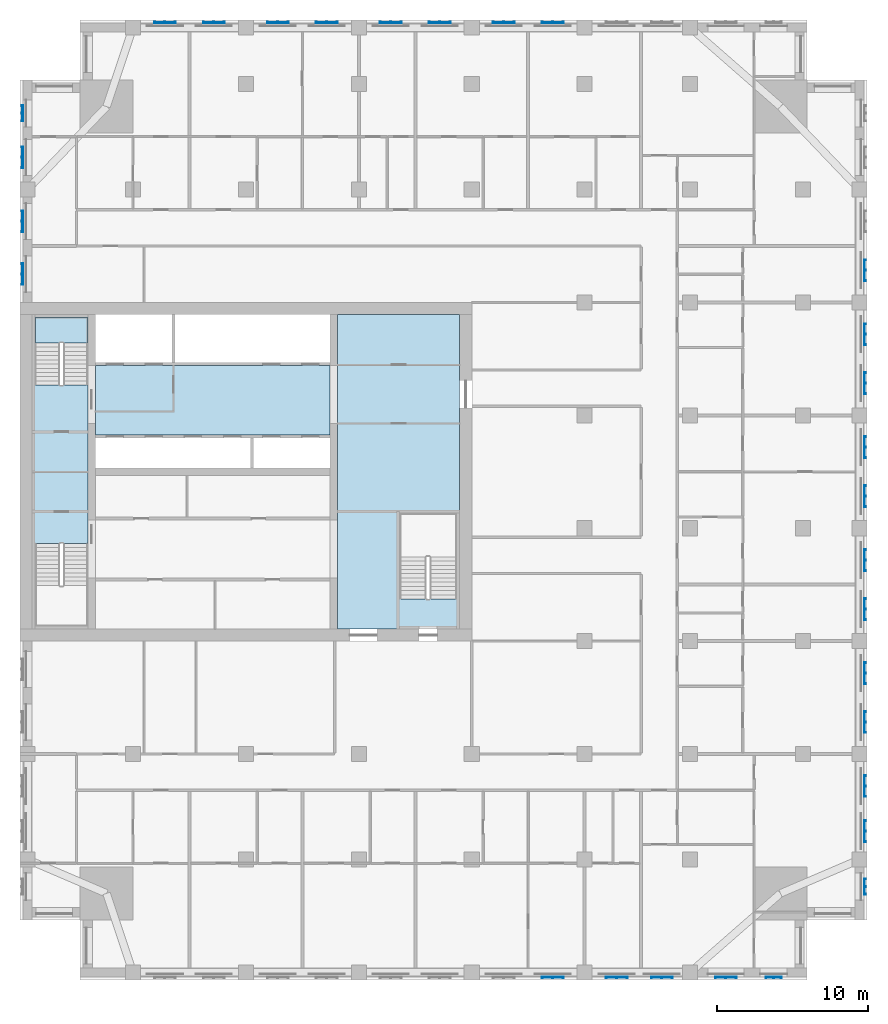
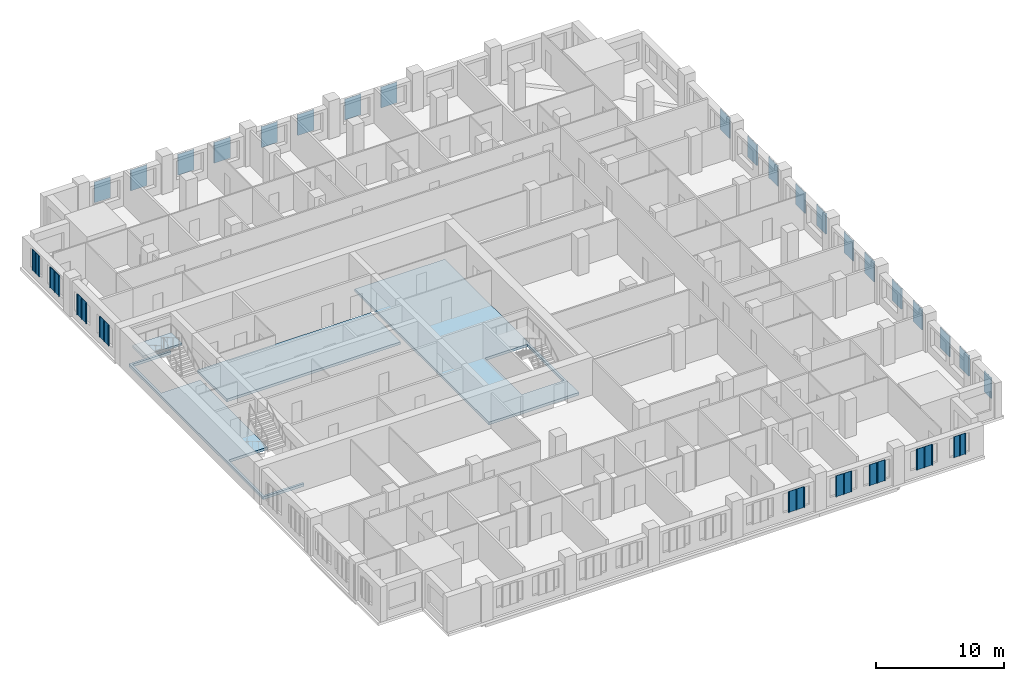
# One storey, part 2 of 14: 29 plates, 4 slabs, 1 element without a shape of its own.
"""IFC4 building model written with IfcOpenShell, lengths in metres."""

from ifc_helpers import new_model, si_unit, direction, frame, origin, place, context, subcontext, project, spatial, polyline, outline, extrude, material, layer, layer_set, type_object, element, aggregate, save


model = new_model("IFC4")

# Units and contexts
model_context = context("Model", 3, precision=1e-05, world=origin(), true_north=direction((0.0, 1.0)))
body_context = subcontext(model_context, "Body", "Model", "MODEL_VIEW")
ifc_project = project(units=[si_unit("LENGTHUNIT", "METRE"), si_unit("AREAUNIT", "SQUARE_METRE"), si_unit("VOLUMEUNIT", "CUBIC_METRE"), si_unit("PLANEANGLEUNIT", "RADIAN"), si_unit("MASSUNIT", "GRAM", prefix="KILO")], contexts=[model_context])

# Site, building, storey
site_placement = place(None, origin())
site = spatial("IfcSite", under=ifc_project, at=site_placement, CompositionType="ELEMENT")
building_placement = place(site_placement, origin())
building = spatial("IfcBuilding", under=site, at=building_placement, Name="Tamorin Gate", CompositionType="ELEMENT")
storey_placement = place(building_placement, frame((0.0, 0.0, 133.800048828125)))
storey = spatial("IfcBuildingStorey", under=building, at=storey_placement, Name="L32", CompositionType="ELEMENT", Elevation=133.800048828125)

# Slabs
ifc_material_1 = material(Name="Concrete C40/50", Category="concrete")
ifc_layer_1 = layer(ifc_material_1, 0.25)
ifc_layer_set_1 = layer_set([ifc_layer_1], Name="Core floor slab 250 C40/50")
slab_type_1 = type_object("IfcSlabType", Name="Core floor slab 250 C40/50", PredefinedType="FLOOR", material=ifc_layer_set_1)
slab_1_placement = place(storey_placement, frame((0.0, 0.0, -0.25)))
element("IfcSlab", 1, at=slab_1_placement, inside=storey, type_object=slab_type_1, Name="Core floor L32", PredefinedType="FLOOR", context=body_context, shape_type="SweptSolid", body=[
    extrude(outline(polyline([(51.10009765625, 81.699951171875), (59.199951171875, 81.699951171875), (59.199951171875, 60.800048828125), (51.10009765625, 60.800048828125), (51.10009765625, 81.699951171875)]), holes=[polyline([(55.199951171875, 62.800048828125), (59.0, 62.800048828125), (59.0, 68.5), (55.199951171875, 68.5), (55.199951171875, 62.800048828125)])]), origin(), (0.0, 0.0, 1.0), 0.25),
])
slab_2_placement = place(storey_placement, frame((0.0, 0.0, -0.25)))
element("IfcSlab", 2, at=slab_2_placement, inside=storey, type_object=slab_type_1, Name="Core floor L32", PredefinedType="FLOOR", context=body_context, shape_type="SweptSolid", body=[
    extrude(outline(polyline([(50.60009765625, 73.699951171875), (35.0, 73.699951171875), (35.0, 78.300048828125), (50.60009765625, 78.300048828125), (50.60009765625, 73.699951171875)])), origin(), (0.0, 0.0, 1.0), 0.25),
])
slab_3_placement = place(storey_placement, frame((0.0, 0.0, -0.25)))
element("IfcSlab", 3, at=slab_3_placement, inside=storey, type_object=slab_type_1, Name="Core floor L32", PredefinedType="FLOOR", context=body_context, shape_type="SweptSolid", body=[
    extrude(outline(polyline([(34.5, 60.800048828125), (30.800048828125, 60.800048828125), (30.800048828125, 81.699951171875), (34.5, 81.699951171875), (34.5, 81.5), (31.0, 81.5), (31.0, 77.0), (34.5, 77.0), (34.5, 66.5), (31.0, 66.5), (31.0, 61.0), (34.5, 61.0), (34.5, 60.800048828125)])), origin(), (0.0, 0.0, 1.0), 0.25),
])

# Stair, slab
stair_type = type_object("IfcStairType", Name="Exit stair", PredefinedType="HALF_TURN_STAIR", material=ifc_material_1)
stair_placement = place(storey_placement, origin())
stair = element("IfcStair", 4, at=stair_placement, inside=storey, type_object=stair_type, Name="L32 stair ST2", PredefinedType="HALF_TURN_STAIR")
ifc_layer_2 = layer(ifc_material_1, 0.199951171875)
ifc_layer_set_2 = layer_set([ifc_layer_2], Name="Exit stair landing 200")
slab_type_2 = type_object("IfcSlabType", Name="Exit stair landing 200", PredefinedType="LANDING", material=ifc_layer_set_2)
slab_4_placement = place(storey_placement, frame((0.0, 0.0, 1.599853515625)))
slab_4 = element("IfcSlab", 5, at=slab_4_placement, type_object=slab_type_2, Name="ST2 landing 1", PredefinedType="LANDING", context=body_context, shape_type="SweptSolid", body=[
    extrude(outline(polyline([(34.5, 79.800048828125), (34.5, 81.5), (31.0, 81.5), (31.0, 79.800048828125), (34.5, 79.800048828125)])), origin(), (0.0, 0.0, 1.0), 0.2001953125),
])
aggregate(stair, [slab_4])

# Plates
ifc_material_2 = material(Name="Perforated pale aluminium sheet", Category="aluminium")
ifc_layer_3 = layer(ifc_material_2, 0.0400390625)
ifc_layer_set_3 = layer_set([ifc_layer_3], Name="Pale metal solar screen 1080")
plate_type_1 = type_object("IfcPlateType", Name="Pale metal solar screen 1080", PredefinedType="SHEET", material=ifc_layer_set_3)
plate_1_placement = place(storey_placement, frame((0.0, 0.0, 0.7099609375)))
element("IfcPlate", 6, at=plate_1_placement, inside=storey, type_object=plate_type_1, Name="Perforated solar screen", PredefinedType="SHEET", context=body_context, shape_type="SweptSolid", body=[
    extrude(outline(polyline([(79.510009765625, 37.659912109375), (79.510009765625, 37.699951171875), (79.570068359375, 37.699951171875), (80.02001953125, 37.699951171875), (80.080078125, 37.699951171875), (80.530029296875, 37.699951171875), (80.590087890625, 37.699951171875), (80.590087890625, 37.659912109375), (80.590087890625, 37.60009765625), (80.530029296875, 37.60009765625), (80.530029296875, 37.659912109375), (80.080078125, 37.659912109375), (80.080078125, 37.60009765625), (80.02001953125, 37.60009765625), (80.02001953125, 37.659912109375), (79.570068359375, 37.659912109375), (79.570068359375, 37.60009765625), (79.510009765625, 37.60009765625), (79.510009765625, 37.659912109375)])), origin(), (0.0, 0.0, 1.0), 1.97998046875),
])
plate_2_placement = place(storey_placement, frame((0.0, 0.0, 0.7099609375)))
element("IfcPlate", 7, at=plate_2_placement, inside=storey, type_object=plate_type_1, Name="Perforated solar screen", PredefinedType="SHEET", context=body_context, shape_type="SweptSolid", body=[
    extrude(outline(polyline([(86.090087890625, 43.159912109375), (86.050048828125, 43.159912109375), (86.050048828125, 43.219970703125), (86.050048828125, 43.669921875), (86.050048828125, 43.72998046875), (86.050048828125, 44.179931640625), (86.050048828125, 44.239990234375), (86.090087890625, 44.239990234375), (86.14990234375, 44.239990234375), (86.14990234375, 44.179931640625), (86.090087890625, 44.179931640625), (86.090087890625, 43.72998046875), (86.14990234375, 43.72998046875), (86.14990234375, 43.669921875), (86.090087890625, 43.669921875), (86.090087890625, 43.219970703125), (86.14990234375, 43.219970703125), (86.14990234375, 43.159912109375), (86.090087890625, 43.159912109375)])), origin(), (0.0, 0.0, 1.0), 1.97998046875),
])
plate_3_placement = place(storey_placement, frame((0.0, 0.0, 0.7099609375)))
element("IfcPlate", 8, at=plate_3_placement, inside=storey, type_object=plate_type_1, Name="Perforated solar screen", PredefinedType="SHEET", context=body_context, shape_type="SweptSolid", body=[
    extrude(outline(polyline([(30.159912109375, 95.590087890625), (30.199951171875, 95.590087890625), (30.199951171875, 95.530029296875), (30.199951171875, 95.080078125), (30.199951171875, 95.02001953125), (30.199951171875, 94.570068359375), (30.199951171875, 94.510009765625), (30.159912109375, 94.510009765625), (30.10009765625, 94.510009765625), (30.10009765625, 94.570068359375), (30.159912109375, 94.570068359375), (30.159912109375, 95.02001953125), (30.10009765625, 95.02001953125), (30.10009765625, 95.080078125), (30.159912109375, 95.080078125), (30.159912109375, 95.530029296875), (30.10009765625, 95.530029296875), (30.10009765625, 95.590087890625), (30.159912109375, 95.590087890625)])), origin(), (0.0, 0.0, 1.0), 1.97998046875),
])
ifc_layer_4 = layer(ifc_material_2, 0.0400390625)
ifc_layer_set_4 = layer_set([ifc_layer_4], Name="Pale metal solar screen 1440")
plate_type_2 = type_object("IfcPlateType", Name="Pale metal solar screen 1440", PredefinedType="SHEET", material=ifc_layer_set_4)
plate_4_placement = place(storey_placement, frame((0.0, 0.0, 0.7099609375)))
element("IfcPlate", 9, at=plate_4_placement, inside=storey, type_object=plate_type_2, Name="Perforated solar screen", PredefinedType="SHEET", context=body_context, shape_type="SweptSolid", body=[
    extrude(outline(polyline([(64.655029296875, 37.659912109375), (64.655029296875, 37.699951171875), (64.715087890625, 37.699951171875), (65.344970703125, 37.699951171875), (65.405029296875, 37.699951171875), (66.034912109375, 37.699951171875), (66.094970703125, 37.699951171875), (66.094970703125, 37.659912109375), (66.094970703125, 37.60009765625), (66.034912109375, 37.60009765625), (66.034912109375, 37.659912109375), (65.405029296875, 37.659912109375), (65.405029296875, 37.60009765625), (65.344970703125, 37.60009765625), (65.344970703125, 37.659912109375), (64.715087890625, 37.659912109375), (64.715087890625, 37.60009765625), (64.655029296875, 37.60009765625), (64.655029296875, 37.659912109375)])), origin(), (0.0, 0.0, 1.0), 1.97998046875),
])
plate_5_placement = place(storey_placement, frame((0.0, 0.0, 0.7099609375)))
element("IfcPlate", 10, at=plate_5_placement, inside=storey, type_object=plate_type_2, Name="Perforated solar screen", PredefinedType="SHEET", context=body_context, shape_type="SweptSolid", body=[
    extrude(outline(polyline([(68.905029296875, 37.659912109375), (68.905029296875, 37.699951171875), (68.965087890625, 37.699951171875), (69.594970703125, 37.699951171875), (69.655029296875, 37.699951171875), (70.284912109375, 37.699951171875), (70.344970703125, 37.699951171875), (70.344970703125, 37.659912109375), (70.344970703125, 37.60009765625), (70.284912109375, 37.60009765625), (70.284912109375, 37.659912109375), (69.655029296875, 37.659912109375), (69.655029296875, 37.60009765625), (69.594970703125, 37.60009765625), (69.594970703125, 37.659912109375), (68.965087890625, 37.659912109375), (68.965087890625, 37.60009765625), (68.905029296875, 37.60009765625), (68.905029296875, 37.659912109375)])), origin(), (0.0, 0.0, 1.0), 1.97998046875),
])
plate_6_placement = place(storey_placement, frame((0.0, 0.0, 0.7099609375)))
element("IfcPlate", 11, at=plate_6_placement, inside=storey, type_object=plate_type_2, Name="Perforated solar screen", PredefinedType="SHEET", context=body_context, shape_type="SweptSolid", body=[
    extrude(outline(polyline([(71.905029296875, 37.659912109375), (71.905029296875, 37.699951171875), (71.965087890625, 37.699951171875), (72.594970703125, 37.699951171875), (72.655029296875, 37.699951171875), (73.284912109375, 37.699951171875), (73.344970703125, 37.699951171875), (73.344970703125, 37.659912109375), (73.344970703125, 37.60009765625), (73.284912109375, 37.60009765625), (73.284912109375, 37.659912109375), (72.655029296875, 37.659912109375), (72.655029296875, 37.60009765625), (72.594970703125, 37.60009765625), (72.594970703125, 37.659912109375), (71.965087890625, 37.659912109375), (71.965087890625, 37.60009765625), (71.905029296875, 37.60009765625), (71.905029296875, 37.659912109375)])), origin(), (0.0, 0.0, 1.0), 1.97998046875),
])
plate_7_placement = place(storey_placement, frame((0.0, 0.0, 0.7099609375)))
element("IfcPlate", 12, at=plate_7_placement, inside=storey, type_object=plate_type_2, Name="Perforated solar screen", PredefinedType="SHEET", context=body_context, shape_type="SweptSolid", body=[
    extrude(outline(polyline([(76.155029296875, 37.659912109375), (76.155029296875, 37.699951171875), (76.215087890625, 37.699951171875), (76.844970703125, 37.699951171875), (76.905029296875, 37.699951171875), (77.534912109375, 37.699951171875), (77.594970703125, 37.699951171875), (77.594970703125, 37.659912109375), (77.594970703125, 37.60009765625), (77.534912109375, 37.60009765625), (77.534912109375, 37.659912109375), (76.905029296875, 37.659912109375), (76.905029296875, 37.60009765625), (76.844970703125, 37.60009765625), (76.844970703125, 37.659912109375), (76.215087890625, 37.659912109375), (76.215087890625, 37.60009765625), (76.155029296875, 37.60009765625), (76.155029296875, 37.659912109375)])), origin(), (0.0, 0.0, 1.0), 1.97998046875),
])
plate_8_placement = place(storey_placement, frame((0.0, 0.0, 0.7099609375)))
element("IfcPlate", 13, at=plate_8_placement, inside=storey, type_object=plate_type_2, Name="Perforated solar screen", PredefinedType="SHEET", context=body_context, shape_type="SweptSolid", body=[
    extrude(outline(polyline([(86.090087890625, 46.655029296875), (86.050048828125, 46.655029296875), (86.050048828125, 46.715087890625), (86.050048828125, 47.344970703125), (86.050048828125, 47.405029296875), (86.050048828125, 48.034912109375), (86.050048828125, 48.094970703125), (86.050048828125, 48.094970703125), (86.090087890625, 48.094970703125), (86.090087890625, 48.094970703125), (86.14990234375, 48.094970703125), (86.14990234375, 48.034912109375), (86.090087890625, 48.034912109375), (86.090087890625, 47.405029296875), (86.14990234375, 47.405029296875), (86.14990234375, 47.344970703125), (86.090087890625, 47.344970703125), (86.090087890625, 46.715087890625), (86.14990234375, 46.715087890625), (86.14990234375, 46.655029296875), (86.090087890625, 46.655029296875)])), origin(), (0.0, 0.0, 1.0), 1.97998046875),
])
plate_9_placement = place(storey_placement, frame((0.0, 0.0, 0.7099609375)))
element("IfcPlate", 14, at=plate_9_placement, inside=storey, type_object=plate_type_2, Name="Perforated solar screen", PredefinedType="SHEET", context=body_context, shape_type="SweptSolid", body=[
    extrude(outline(polyline([(86.090087890625, 49.655029296875), (86.050048828125, 49.655029296875), (86.050048828125, 49.715087890625), (86.050048828125, 50.344970703125), (86.050048828125, 50.405029296875), (86.050048828125, 51.034912109375), (86.050048828125, 51.094970703125), (86.090087890625, 51.094970703125), (86.14990234375, 51.094970703125), (86.14990234375, 51.034912109375), (86.090087890625, 51.034912109375), (86.090087890625, 50.405029296875), (86.14990234375, 50.405029296875), (86.14990234375, 50.344970703125), (86.090087890625, 50.344970703125), (86.090087890625, 49.715087890625), (86.14990234375, 49.715087890625), (86.14990234375, 49.655029296875), (86.090087890625, 49.655029296875)])), origin(), (0.0, 0.0, 1.0), 1.97998046875),
])
plate_10_placement = place(storey_placement, frame((0.0, 0.0, 0.7099609375)))
element("IfcPlate", 15, at=plate_10_placement, inside=storey, type_object=plate_type_2, Name="Perforated solar screen", PredefinedType="SHEET", context=body_context, shape_type="SweptSolid", body=[
    extrude(outline(polyline([(86.090087890625, 53.905029296875), (86.050048828125, 53.905029296875), (86.050048828125, 53.965087890625), (86.050048828125, 54.594970703125), (86.050048828125, 54.655029296875), (86.050048828125, 55.284912109375), (86.050048828125, 55.344970703125), (86.090087890625, 55.344970703125), (86.14990234375, 55.344970703125), (86.14990234375, 55.284912109375), (86.090087890625, 55.284912109375), (86.090087890625, 54.655029296875), (86.14990234375, 54.655029296875), (86.14990234375, 54.594970703125), (86.090087890625, 54.594970703125), (86.090087890625, 53.965087890625), (86.14990234375, 53.965087890625), (86.14990234375, 53.905029296875), (86.090087890625, 53.905029296875)])), origin(), (0.0, 0.0, 1.0), 1.97998046875),
])
plate_11_placement = place(storey_placement, frame((0.0, 0.0, 0.7099609375)))
element("IfcPlate", 16, at=plate_11_placement, inside=storey, type_object=plate_type_2, Name="Perforated solar screen", PredefinedType="SHEET", context=body_context, shape_type="SweptSolid", body=[
    extrude(outline(polyline([(86.090087890625, 57.155029296875), (86.050048828125, 57.155029296875), (86.050048828125, 57.215087890625), (86.050048828125, 57.844970703125), (86.050048828125, 57.905029296875), (86.050048828125, 58.534912109375), (86.050048828125, 58.594970703125), (86.090087890625, 58.594970703125), (86.14990234375, 58.594970703125), (86.14990234375, 58.534912109375), (86.090087890625, 58.534912109375), (86.090087890625, 57.905029296875), (86.14990234375, 57.905029296875), (86.14990234375, 57.844970703125), (86.090087890625, 57.844970703125), (86.090087890625, 57.215087890625), (86.14990234375, 57.215087890625), (86.14990234375, 57.155029296875), (86.090087890625, 57.155029296875)])), origin(), (0.0, 0.0, 1.0), 1.97998046875),
])
plate_12_placement = place(storey_placement, frame((0.0, 0.0, 0.7099609375)))
element("IfcPlate", 17, at=plate_12_placement, inside=storey, type_object=plate_type_2, Name="Perforated solar screen", PredefinedType="SHEET", context=body_context, shape_type="SweptSolid", body=[
    extrude(outline(polyline([(86.090087890625, 61.405029296875), (86.050048828125, 61.405029296875), (86.050048828125, 61.465087890625), (86.050048828125, 62.094970703125), (86.050048828125, 62.155029296875), (86.050048828125, 62.784912109375), (86.050048828125, 62.844970703125), (86.090087890625, 62.844970703125), (86.14990234375, 62.844970703125), (86.14990234375, 62.784912109375), (86.090087890625, 62.784912109375), (86.090087890625, 62.155029296875), (86.14990234375, 62.155029296875), (86.14990234375, 62.094970703125), (86.090087890625, 62.094970703125), (86.090087890625, 61.465087890625), (86.14990234375, 61.465087890625), (86.14990234375, 61.405029296875), (86.090087890625, 61.405029296875)])), origin(), (0.0, 0.0, 1.0), 1.97998046875),
])
plate_13_placement = place(storey_placement, frame((0.0, 0.0, 0.7099609375)))
element("IfcPlate", 18, at=plate_13_placement, inside=storey, type_object=plate_type_2, Name="Perforated solar screen", PredefinedType="SHEET", context=body_context, shape_type="SweptSolid", body=[
    extrude(outline(polyline([(86.090087890625, 64.655029296875), (86.050048828125, 64.655029296875), (86.050048828125, 64.715087890625), (86.050048828125, 65.344970703125), (86.050048828125, 65.405029296875), (86.050048828125, 66.034912109375), (86.050048828125, 66.094970703125), (86.090087890625, 66.094970703125), (86.14990234375, 66.094970703125), (86.14990234375, 66.034912109375), (86.090087890625, 66.034912109375), (86.090087890625, 65.405029296875), (86.14990234375, 65.405029296875), (86.14990234375, 65.344970703125), (86.090087890625, 65.344970703125), (86.090087890625, 64.715087890625), (86.14990234375, 64.715087890625), (86.14990234375, 64.655029296875), (86.090087890625, 64.655029296875)])), origin(), (0.0, 0.0, 1.0), 1.97998046875),
])
plate_14_placement = place(storey_placement, frame((0.0, 0.0, 0.7099609375)))
element("IfcPlate", 19, at=plate_14_placement, inside=storey, type_object=plate_type_2, Name="Perforated solar screen", PredefinedType="SHEET", context=body_context, shape_type="SweptSolid", body=[
    extrude(outline(polyline([(86.090087890625, 68.905029296875), (86.050048828125, 68.905029296875), (86.050048828125, 68.965087890625), (86.050048828125, 69.594970703125), (86.050048828125, 69.655029296875), (86.050048828125, 70.284912109375), (86.050048828125, 70.344970703125), (86.090087890625, 70.344970703125), (86.14990234375, 70.344970703125), (86.14990234375, 70.284912109375), (86.090087890625, 70.284912109375), (86.090087890625, 69.655029296875), (86.14990234375, 69.655029296875), (86.14990234375, 69.594970703125), (86.090087890625, 69.594970703125), (86.090087890625, 68.965087890625), (86.14990234375, 68.965087890625), (86.14990234375, 68.905029296875), (86.090087890625, 68.905029296875)])), origin(), (0.0, 0.0, 1.0), 1.97998046875),
])
plate_15_placement = place(storey_placement, frame((0.0, 0.0, 0.7099609375)))
element("IfcPlate", 20, at=plate_15_placement, inside=storey, type_object=plate_type_2, Name="Perforated solar screen", PredefinedType="SHEET", context=body_context, shape_type="SweptSolid", body=[
    extrude(outline(polyline([(86.090087890625, 72.155029296875), (86.050048828125, 72.155029296875), (86.050048828125, 72.215087890625), (86.050048828125, 72.844970703125), (86.050048828125, 72.905029296875), (86.050048828125, 73.534912109375), (86.050048828125, 73.594970703125), (86.090087890625, 73.594970703125), (86.14990234375, 73.594970703125), (86.14990234375, 73.534912109375), (86.090087890625, 73.534912109375), (86.090087890625, 72.905029296875), (86.14990234375, 72.905029296875), (86.14990234375, 72.844970703125), (86.090087890625, 72.844970703125), (86.090087890625, 72.215087890625), (86.14990234375, 72.215087890625), (86.14990234375, 72.155029296875), (86.090087890625, 72.155029296875)])), origin(), (0.0, 0.0, 1.0), 1.97998046875),
])
plate_16_placement = place(storey_placement, frame((0.0, 0.0, 0.7099609375)))
element("IfcPlate", 21, at=plate_16_placement, inside=storey, type_object=plate_type_2, Name="Perforated solar screen", PredefinedType="SHEET", context=body_context, shape_type="SweptSolid", body=[
    extrude(outline(polyline([(86.090087890625, 76.405029296875), (86.050048828125, 76.405029296875), (86.050048828125, 76.465087890625), (86.050048828125, 77.094970703125), (86.050048828125, 77.155029296875), (86.050048828125, 77.784912109375), (86.050048828125, 77.844970703125), (86.090087890625, 77.844970703125), (86.14990234375, 77.844970703125), (86.14990234375, 77.784912109375), (86.090087890625, 77.784912109375), (86.090087890625, 77.155029296875), (86.14990234375, 77.155029296875), (86.14990234375, 77.094970703125), (86.090087890625, 77.094970703125), (86.090087890625, 76.465087890625), (86.14990234375, 76.465087890625), (86.14990234375, 76.405029296875), (86.090087890625, 76.405029296875)])), origin(), (0.0, 0.0, 1.0), 1.97998046875),
])
plate_17_placement = place(storey_placement, frame((0.0, 0.0, 0.7099609375)))
element("IfcPlate", 22, at=plate_17_placement, inside=storey, type_object=plate_type_2, Name="Perforated solar screen", PredefinedType="SHEET", context=body_context, shape_type="SweptSolid", body=[
    extrude(outline(polyline([(86.090087890625, 79.655029296875), (86.050048828125, 79.655029296875), (86.050048828125, 79.715087890625), (86.050048828125, 80.344970703125), (86.050048828125, 80.405029296875), (86.050048828125, 81.034912109375), (86.050048828125, 81.094970703125), (86.090087890625, 81.094970703125), (86.14990234375, 81.094970703125), (86.14990234375, 81.034912109375), (86.090087890625, 81.034912109375), (86.090087890625, 80.405029296875), (86.14990234375, 80.405029296875), (86.14990234375, 80.344970703125), (86.090087890625, 80.344970703125), (86.090087890625, 79.715087890625), (86.14990234375, 79.715087890625), (86.14990234375, 79.655029296875), (86.090087890625, 79.655029296875)])), origin(), (0.0, 0.0, 1.0), 1.97998046875),
])
plate_18_placement = place(storey_placement, frame((0.0, 0.0, 0.7099609375)))
element("IfcPlate", 23, at=plate_18_placement, inside=storey, type_object=plate_type_2, Name="Perforated solar screen", PredefinedType="SHEET", context=body_context, shape_type="SweptSolid", body=[
    extrude(outline(polyline([(86.090087890625, 83.905029296875), (86.050048828125, 83.905029296875), (86.050048828125, 83.965087890625), (86.050048828125, 84.594970703125), (86.050048828125, 84.655029296875), (86.050048828125, 85.284912109375), (86.050048828125, 85.344970703125), (86.090087890625, 85.344970703125), (86.14990234375, 85.344970703125), (86.14990234375, 85.284912109375), (86.090087890625, 85.284912109375), (86.090087890625, 84.655029296875), (86.14990234375, 84.655029296875), (86.14990234375, 84.594970703125), (86.090087890625, 84.594970703125), (86.090087890625, 83.965087890625), (86.14990234375, 83.965087890625), (86.14990234375, 83.905029296875), (86.090087890625, 83.905029296875)])), origin(), (0.0, 0.0, 1.0), 1.97998046875),
])
plate_19_placement = place(storey_placement, frame((0.0, 0.0, 0.7099609375)))
element("IfcPlate", 24, at=plate_19_placement, inside=storey, type_object=plate_type_2, Name="Perforated solar screen", PredefinedType="SHEET", context=body_context, shape_type="SweptSolid", body=[
    extrude(outline(polyline([(62.844970703125, 101.090087890625), (62.844970703125, 101.050048828125), (62.784912109375, 101.050048828125), (62.155029296875, 101.050048828125), (62.094970703125, 101.050048828125), (61.465087890625, 101.050048828125), (61.405029296875, 101.050048828125), (61.405029296875, 101.090087890625), (61.405029296875, 101.14990234375), (61.465087890625, 101.14990234375), (61.465087890625, 101.090087890625), (62.094970703125, 101.090087890625), (62.094970703125, 101.14990234375), (62.155029296875, 101.14990234375), (62.155029296875, 101.090087890625), (62.784912109375, 101.090087890625), (62.784912109375, 101.14990234375), (62.844970703125, 101.14990234375), (62.844970703125, 101.090087890625)])), origin(), (0.0, 0.0, 1.0), 1.97998046875),
])
plate_20_placement = place(storey_placement, frame((0.0, 0.0, 0.7099609375)))
element("IfcPlate", 25, at=plate_20_placement, inside=storey, type_object=plate_type_2, Name="Perforated solar screen", PredefinedType="SHEET", context=body_context, shape_type="SweptSolid", body=[
    extrude(outline(polyline([(66.094970703125, 101.090087890625), (66.094970703125, 101.050048828125), (66.034912109375, 101.050048828125), (65.405029296875, 101.050048828125), (65.344970703125, 101.050048828125), (64.715087890625, 101.050048828125), (64.655029296875, 101.050048828125), (64.655029296875, 101.090087890625), (64.655029296875, 101.14990234375), (64.715087890625, 101.14990234375), (64.715087890625, 101.090087890625), (65.344970703125, 101.090087890625), (65.344970703125, 101.14990234375), (65.405029296875, 101.14990234375), (65.405029296875, 101.090087890625), (66.034912109375, 101.090087890625), (66.034912109375, 101.14990234375), (66.094970703125, 101.14990234375), (66.094970703125, 101.090087890625)])), origin(), (0.0, 0.0, 1.0), 1.97998046875),
])
plate_21_placement = place(storey_placement, frame((0.0, 0.0, 0.7099609375)))
element("IfcPlate", 26, at=plate_21_placement, inside=storey, type_object=plate_type_2, Name="Perforated solar screen", PredefinedType="SHEET", context=body_context, shape_type="SweptSolid", body=[
    extrude(outline(polyline([(55.344970703125, 101.090087890625), (55.344970703125, 101.050048828125), (55.284912109375, 101.050048828125), (54.655029296875, 101.050048828125), (54.594970703125, 101.050048828125), (53.965087890625, 101.050048828125), (53.905029296875, 101.050048828125), (53.905029296875, 101.090087890625), (53.905029296875, 101.14990234375), (53.965087890625, 101.14990234375), (53.965087890625, 101.090087890625), (54.594970703125, 101.090087890625), (54.594970703125, 101.14990234375), (54.655029296875, 101.14990234375), (54.655029296875, 101.090087890625), (55.284912109375, 101.090087890625), (55.284912109375, 101.14990234375), (55.344970703125, 101.14990234375), (55.344970703125, 101.090087890625)])), origin(), (0.0, 0.0, 1.0), 1.97998046875),
])
plate_22_placement = place(storey_placement, frame((0.0, 0.0, 0.7099609375)))
element("IfcPlate", 27, at=plate_22_placement, inside=storey, type_object=plate_type_2, Name="Perforated solar screen", PredefinedType="SHEET", context=body_context, shape_type="SweptSolid", body=[
    extrude(outline(polyline([(58.594970703125, 101.090087890625), (58.594970703125, 101.050048828125), (58.534912109375, 101.050048828125), (57.905029296875, 101.050048828125), (57.844970703125, 101.050048828125), (57.215087890625, 101.050048828125), (57.155029296875, 101.050048828125), (57.155029296875, 101.090087890625), (57.155029296875, 101.14990234375), (57.215087890625, 101.14990234375), (57.215087890625, 101.090087890625), (57.844970703125, 101.090087890625), (57.844970703125, 101.14990234375), (57.905029296875, 101.14990234375), (57.905029296875, 101.090087890625), (58.534912109375, 101.090087890625), (58.534912109375, 101.14990234375), (58.594970703125, 101.14990234375), (58.594970703125, 101.090087890625)])), origin(), (0.0, 0.0, 1.0), 1.97998046875),
])
plate_23_placement = place(storey_placement, frame((0.0, 0.0, 0.7099609375)))
element("IfcPlate", 28, at=plate_23_placement, inside=storey, type_object=plate_type_2, Name="Perforated solar screen", PredefinedType="SHEET", context=body_context, shape_type="SweptSolid", body=[
    extrude(outline(polyline([(47.844970703125, 101.090087890625), (47.844970703125, 101.050048828125), (47.784912109375, 101.050048828125), (47.155029296875, 101.050048828125), (47.094970703125, 101.050048828125), (46.465087890625, 101.050048828125), (46.405029296875, 101.050048828125), (46.405029296875, 101.090087890625), (46.405029296875, 101.14990234375), (46.465087890625, 101.14990234375), (46.465087890625, 101.090087890625), (47.094970703125, 101.090087890625), (47.094970703125, 101.14990234375), (47.155029296875, 101.14990234375), (47.155029296875, 101.090087890625), (47.784912109375, 101.090087890625), (47.784912109375, 101.14990234375), (47.844970703125, 101.14990234375), (47.844970703125, 101.090087890625)])), origin(), (0.0, 0.0, 1.0), 1.97998046875),
])
plate_24_placement = place(storey_placement, frame((0.0, 0.0, 0.7099609375)))
element("IfcPlate", 29, at=plate_24_placement, inside=storey, type_object=plate_type_2, Name="Perforated solar screen", PredefinedType="SHEET", context=body_context, shape_type="SweptSolid", body=[
    extrude(outline(polyline([(51.094970703125, 101.090087890625), (51.094970703125, 101.050048828125), (51.034912109375, 101.050048828125), (50.405029296875, 101.050048828125), (50.344970703125, 101.050048828125), (49.715087890625, 101.050048828125), (49.655029296875, 101.050048828125), (49.655029296875, 101.090087890625), (49.655029296875, 101.14990234375), (49.715087890625, 101.14990234375), (49.715087890625, 101.090087890625), (50.344970703125, 101.090087890625), (50.344970703125, 101.14990234375), (50.405029296875, 101.14990234375), (50.405029296875, 101.090087890625), (51.034912109375, 101.090087890625), (51.034912109375, 101.14990234375), (51.094970703125, 101.14990234375), (51.094970703125, 101.090087890625)])), origin(), (0.0, 0.0, 1.0), 1.97998046875),
])
plate_25_placement = place(storey_placement, frame((0.0, 0.0, 0.7099609375)))
element("IfcPlate", 30, at=plate_25_placement, inside=storey, type_object=plate_type_2, Name="Perforated solar screen", PredefinedType="SHEET", context=body_context, shape_type="SweptSolid", body=[
    extrude(outline(polyline([(40.344970703125, 101.090087890625), (40.344970703125, 101.050048828125), (40.284912109375, 101.050048828125), (39.655029296875, 101.050048828125), (39.594970703125, 101.050048828125), (38.965087890625, 101.050048828125), (38.905029296875, 101.050048828125), (38.905029296875, 101.090087890625), (38.905029296875, 101.14990234375), (38.965087890625, 101.14990234375), (38.965087890625, 101.090087890625), (39.594970703125, 101.090087890625), (39.594970703125, 101.14990234375), (39.655029296875, 101.14990234375), (39.655029296875, 101.090087890625), (40.284912109375, 101.090087890625), (40.284912109375, 101.14990234375), (40.344970703125, 101.14990234375), (40.344970703125, 101.090087890625)])), origin(), (0.0, 0.0, 1.0), 1.97998046875),
])
plate_26_placement = place(storey_placement, frame((0.0, 0.0, 0.7099609375)))
element("IfcPlate", 31, at=plate_26_placement, inside=storey, type_object=plate_type_2, Name="Perforated solar screen", PredefinedType="SHEET", context=body_context, shape_type="SweptSolid", body=[
    extrude(outline(polyline([(43.594970703125, 101.090087890625), (43.594970703125, 101.050048828125), (43.534912109375, 101.050048828125), (42.905029296875, 101.050048828125), (42.844970703125, 101.050048828125), (42.215087890625, 101.050048828125), (42.155029296875, 101.050048828125), (42.155029296875, 101.090087890625), (42.155029296875, 101.14990234375), (42.215087890625, 101.14990234375), (42.215087890625, 101.090087890625), (42.844970703125, 101.090087890625), (42.844970703125, 101.14990234375), (42.905029296875, 101.14990234375), (42.905029296875, 101.090087890625), (43.534912109375, 101.090087890625), (43.534912109375, 101.14990234375), (43.594970703125, 101.14990234375), (43.594970703125, 101.090087890625)])), origin(), (0.0, 0.0, 1.0), 1.97998046875),
])
plate_27_placement = place(storey_placement, frame((0.0, 0.0, 0.7099609375)))
element("IfcPlate", 32, at=plate_27_placement, inside=storey, type_object=plate_type_2, Name="Perforated solar screen", PredefinedType="SHEET", context=body_context, shape_type="SweptSolid", body=[
    extrude(outline(polyline([(30.159912109375, 92.844970703125), (30.199951171875, 92.844970703125), (30.199951171875, 92.784912109375), (30.199951171875, 92.155029296875), (30.199951171875, 92.094970703125), (30.199951171875, 91.465087890625), (30.199951171875, 91.405029296875), (30.199951171875, 91.405029296875), (30.159912109375, 91.405029296875), (30.159912109375, 91.405029296875), (30.10009765625, 91.405029296875), (30.10009765625, 91.465087890625), (30.159912109375, 91.465087890625), (30.159912109375, 92.094970703125), (30.10009765625, 92.094970703125), (30.10009765625, 92.155029296875), (30.159912109375, 92.155029296875), (30.159912109375, 92.784912109375), (30.10009765625, 92.784912109375), (30.10009765625, 92.844970703125), (30.159912109375, 92.844970703125)])), origin(), (0.0, 0.0, 1.0), 1.97998046875),
])
plate_28_placement = place(storey_placement, frame((0.0, 0.0, 0.7099609375)))
element("IfcPlate", 33, at=plate_28_placement, inside=storey, type_object=plate_type_2, Name="Perforated solar screen", PredefinedType="SHEET", context=body_context, shape_type="SweptSolid", body=[
    extrude(outline(polyline([(30.159912109375, 85.094970703125), (30.199951171875, 85.094970703125), (30.199951171875, 85.034912109375), (30.199951171875, 84.405029296875), (30.199951171875, 84.344970703125), (30.199951171875, 83.715087890625), (30.199951171875, 83.655029296875), (30.159912109375, 83.655029296875), (30.10009765625, 83.655029296875), (30.10009765625, 83.715087890625), (30.159912109375, 83.715087890625), (30.159912109375, 84.344970703125), (30.10009765625, 84.344970703125), (30.10009765625, 84.405029296875), (30.159912109375, 84.405029296875), (30.159912109375, 85.034912109375), (30.10009765625, 85.034912109375), (30.10009765625, 85.094970703125), (30.159912109375, 85.094970703125)])), origin(), (0.0, 0.0, 1.0), 1.97998046875),
])
plate_29_placement = place(storey_placement, frame((0.0, 0.0, 0.7099609375)))
element("IfcPlate", 34, at=plate_29_placement, inside=storey, type_object=plate_type_2, Name="Perforated solar screen", PredefinedType="SHEET", context=body_context, shape_type="SweptSolid", body=[
    extrude(outline(polyline([(30.159912109375, 88.594970703125), (30.199951171875, 88.594970703125), (30.199951171875, 88.534912109375), (30.199951171875, 87.905029296875), (30.199951171875, 87.844970703125), (30.199951171875, 87.215087890625), (30.199951171875, 87.155029296875), (30.159912109375, 87.155029296875), (30.10009765625, 87.155029296875), (30.10009765625, 87.215087890625), (30.159912109375, 87.215087890625), (30.159912109375, 87.844970703125), (30.10009765625, 87.844970703125), (30.10009765625, 87.905029296875), (30.159912109375, 87.905029296875), (30.159912109375, 88.534912109375), (30.10009765625, 88.534912109375), (30.10009765625, 88.594970703125), (30.159912109375, 88.594970703125)])), origin(), (0.0, 0.0, 1.0), 1.97998046875),
])

save(model, "model.ifc")
